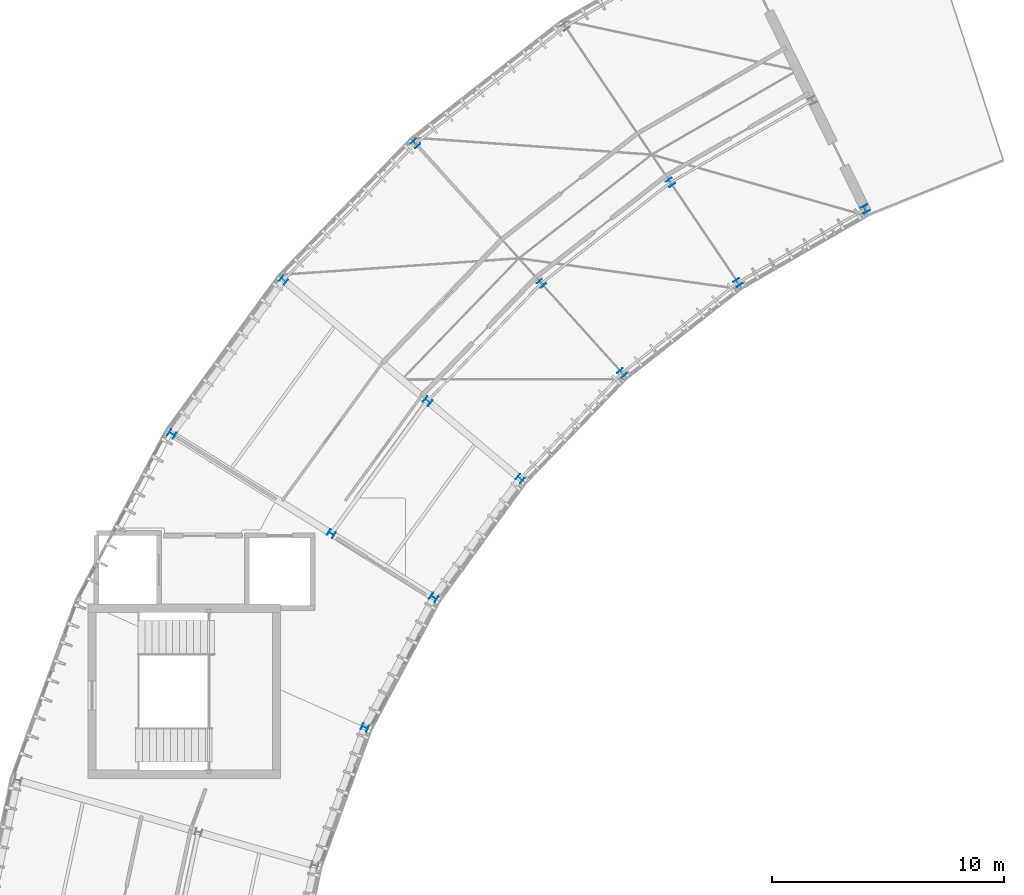
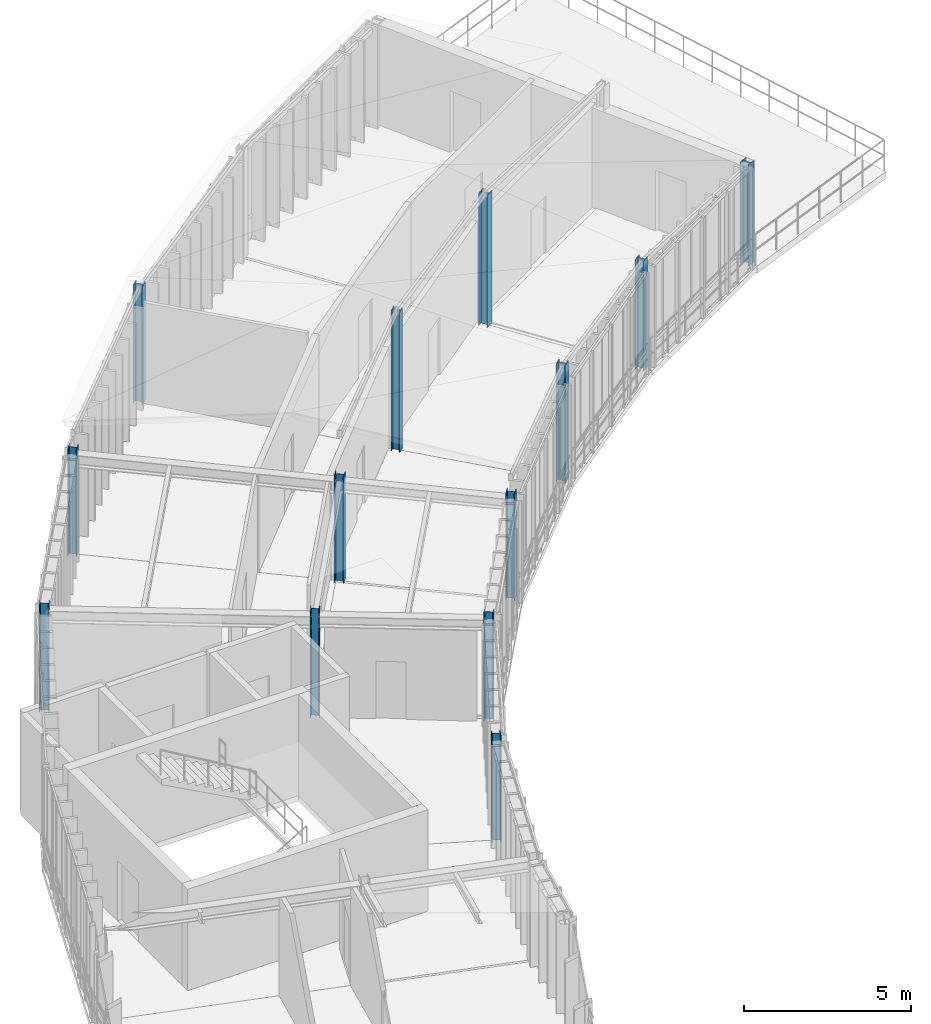
# One storey, part 2 of 25: 13 columns.
"""IFC4 building model written with IfcOpenShell, lengths in metres."""

from ifc_helpers import new_model, si_unit, direction, frame, origin, origin_2d, place, context, subcontext, project, spatial, i_section, extrude, material, material_profile, profile_set, type_object, element, save


model = new_model("IFC4")

# Units and contexts
model_context = context("Model", 3, precision=1e-05, world=origin(), true_north=direction((0.0, 1.0)))
body_context = subcontext(model_context, "Body", "Model", "MODEL_VIEW")
ifc_project = project(units=[si_unit("LENGTHUNIT", "METRE"), si_unit("AREAUNIT", "SQUARE_METRE"), si_unit("VOLUMEUNIT", "CUBIC_METRE"), si_unit("PLANEANGLEUNIT", "RADIAN"), si_unit("MASSUNIT", "GRAM", prefix="KILO"), si_unit("THERMODYNAMICTEMPERATUREUNIT", "KELVIN"), si_unit("POWERUNIT", "WATT")], contexts=[model_context])

# Site, building, storey
site_placement = place(None, origin())
site = spatial("IfcSite", under=ifc_project, at=site_placement, CompositionType="ELEMENT")
building_placement = place(site_placement, origin())
building = spatial("IfcBuilding", under=site, at=building_placement, Name="Solvatero Civic Police Headquarters", CompositionType="ELEMENT")
storey_placement = place(building_placement, frame((0.0, 0.0, 25.5)))
storey = spatial("IfcBuildingStorey", under=building, at=storey_placement, Name="L06", CompositionType="ELEMENT", Elevation=25.5)

# Columns
ifc_material = material(Name="Steel S355", Category="steel")
ifc_material_profile_1 = material_profile(ifc_material, i_section(OverallWidth=0.280029296875, OverallDepth=0.280029296875, WebThickness=0.010498046875, FlangeThickness=0.01806640625, FilletRadius=0.02392578125, at=origin_2d()), Name="HEB 280")
ifc_profile_set_1 = profile_set([ifc_material_profile_1], Name="Steel S355")
column_type_1 = type_object("IfcColumnType", Name="COL-ST-HEB280", PredefinedType="COLUMN", material=ifc_profile_set_1)
column_1_placement = place(storey_placement, frame((68.640625, 63.596923828125, 0.0), z_axis=(0.0, 0.0, 1.0), x_axis=(0.829037572555, 0.559192903471, 0.0)))
element("IfcColumn", 1, at=column_1_placement, inside=storey, type_object=column_type_1, Name="Column ARC-S05-IN L06", PredefinedType="COLUMN", context=body_context, shape_type="SweptSolid", body=[
    extrude(i_section(OverallWidth=0.280029296875, OverallDepth=0.280029296875, WebThickness=0.010498046875, FlangeThickness=0.01806640625, FilletRadius=0.02392578125, at=origin_2d()), origin(), (0.0, 0.0, 1.0), 4.0048828125),
])
column_2_placement = place(storey_placement, frame((60.17529296875, 63.56591796875, 0.0), z_axis=(0.0, 0.0, 1.0), x_axis=(0.743144825477, 0.669130606359, 0.0)))
element("IfcColumn", 2, at=column_2_placement, inside=storey, type_object=column_type_1, Name="Column ARC-S06-MID L06", PredefinedType="COLUMN", context=body_context, shape_type="SweptSolid", body=[
    extrude(i_section(OverallWidth=0.280029296875, OverallDepth=0.280029296875, WebThickness=0.010498046875, FlangeThickness=0.01806640625, FilletRadius=0.02392578125, at=origin_2d()), origin(), (0.0, 0.0, 1.0), 5.122314453125),
])
for number, where, z_axis, x_axis, name in (
    (3, (59.260009765625, 55.150390625, 0.0), (0.0, 0.0, 1.0), (0.642787609687, 0.766044443119, 0.0), "Column ARC-S07-IN L06"),
    (4, (49.071533203125, 63.699462890625, 0.0), (0.0, 0.0, 1.0), (0.642787609687, 0.766044443119, 0.0), "Column ARC-S07-OUT L06"),
    (5, (51.131103515625, 52.787353515625, 0.0), (0.0, 0.0, 1.0), (0.529919264233, 0.848048096156, 0.0), "Column ARC-S08-MID L06"),
    (6, (52.57080078125, 44.445556640625, 0.0), (0.0, 0.0, 1.0), (0.406736643076, 0.913545457643, 0.0), "Column ARC-S09-IN L06"),
):
    element("IfcColumn", number, at=place(storey_placement, frame(where, z_axis=z_axis, x_axis=x_axis)), inside=storey, type_object=column_type_1, Name=name, PredefinedType="COLUMN", context=body_context, shape_type="SweptSolid", body=[
        extrude(i_section(OverallWidth=0.280029296875, OverallDepth=0.280029296875, WebThickness=0.010498046875, FlangeThickness=0.01806640625, FilletRadius=0.02392578125, at=origin_2d()), origin(), (0.0, 0.0, 1.0), 3.89990234375),
    ])
ifc_material_profile_2 = material_profile(ifc_material, i_section(OverallWidth=0.300048828125, OverallDepth=0.300048828125, WebThickness=0.010986328125, FlangeThickness=0.01904296875, FilletRadius=0.027099609375, at=origin_2d()), Name="HEB 300")
ifc_profile_set_2 = profile_set([ifc_material_profile_2], Name="Steel S355")
column_type_2 = type_object("IfcColumnType", Name="COL-ST-HEB300", PredefinedType="COLUMN", material=ifc_profile_set_2)
column_3_placement = place(storey_placement, frame((74.119873046875, 66.76025390625, 0.0), z_axis=(0.0, 0.0, 1.0), x_axis=(0.898794046299, 0.438371146789, 0.0)))
element("IfcColumn", 7, at=column_3_placement, inside=storey, type_object=column_type_2, Name="Column ARC-S04-IN L06", PredefinedType="COLUMN", context=body_context, shape_type="SweptSolid", body=[
    extrude(i_section(OverallWidth=0.300048828125, OverallDepth=0.300048828125, WebThickness=0.010986328125, FlangeThickness=0.01904296875, FilletRadius=0.027099609375, at=origin_2d()), origin(), (0.0, 0.0, 1.0), 3.705078125),
])
column_4_placement = place(storey_placement, frame((65.73291015625, 67.90771484375, 0.0), z_axis=(0.0, 0.0, 1.0), x_axis=(0.829037572555, 0.559192903471, 0.0)))
element("IfcColumn", 8, at=column_4_placement, inside=storey, type_object=column_type_2, Name="Column ARC-S05-MID L06", PredefinedType="COLUMN", context=body_context, shape_type="SweptSolid", body=[
    extrude(i_section(OverallWidth=0.300048828125, OverallDepth=0.300048828125, WebThickness=0.010986328125, FlangeThickness=0.01904296875, FilletRadius=0.027099609375, at=origin_2d()), origin(), (0.0, 0.0, 1.0), 4.822021484375),
])
for number, where, z_axis, x_axis, name in (
    (9, (63.65478515625, 59.70166015625, 0.0), (0.0, 0.0, 1.0), (0.743144825477, 0.669130606359, 0.0), "Column ARC-S06-IN L06"),
    (10, (54.755615234375, 69.58544921875, 0.0), (0.0, 0.0, 1.0), (0.743144825477, 0.669130606359, 0.0), "Column ARC-S06-OUT L06"),
):
    element("IfcColumn", number, at=place(storey_placement, frame(where, z_axis=z_axis, x_axis=x_axis)), inside=storey, type_object=column_type_2, Name=name, PredefinedType="COLUMN", context=body_context, shape_type="SweptSolid", body=[
        extrude(i_section(OverallWidth=0.300048828125, OverallDepth=0.300048828125, WebThickness=0.010986328125, FlangeThickness=0.01904296875, FilletRadius=0.027099609375, at=origin_2d()), origin(), (0.0, 0.0, 1.0), 4.304931640625),
    ])
for number, where, z_axis, x_axis, name in (
    (11, (55.276611328125, 58.492919921875, 0.0), (0.0, 0.0, 1.0), (0.642787609687, 0.766044443119, 0.0), "Column ARC-S07-MID L06"),
    (12, (55.541015625, 50.03173828125, 0.0), (0.0, 0.0, 1.0), (0.529919264233, 0.848048096156, 0.0), "Column ARC-S08-IN L06"),
    (13, (44.261962890625, 57.079833984375, 0.0), (0.0, 0.0, 1.0), (0.529919264233, 0.848048096156, 0.0), "Column ARC-S08-OUT L06"),
):
    element("IfcColumn", number, at=place(storey_placement, frame(where, z_axis=z_axis, x_axis=x_axis)), inside=storey, type_object=column_type_2, Name=name, PredefinedType="COLUMN", context=body_context, shape_type="SweptSolid", body=[
        extrude(i_section(OverallWidth=0.300048828125, OverallDepth=0.300048828125, WebThickness=0.010986328125, FlangeThickness=0.01904296875, FilletRadius=0.027099609375, at=origin_2d()), origin(), (0.0, 0.0, 1.0), 3.89990234375),
    ])

save(model, "model.ifc")
